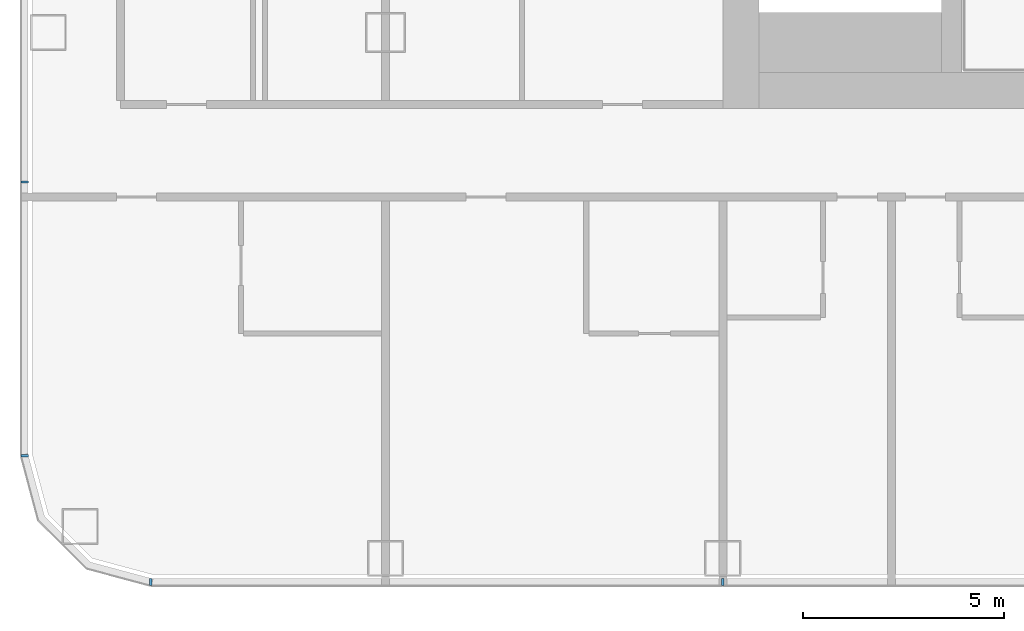
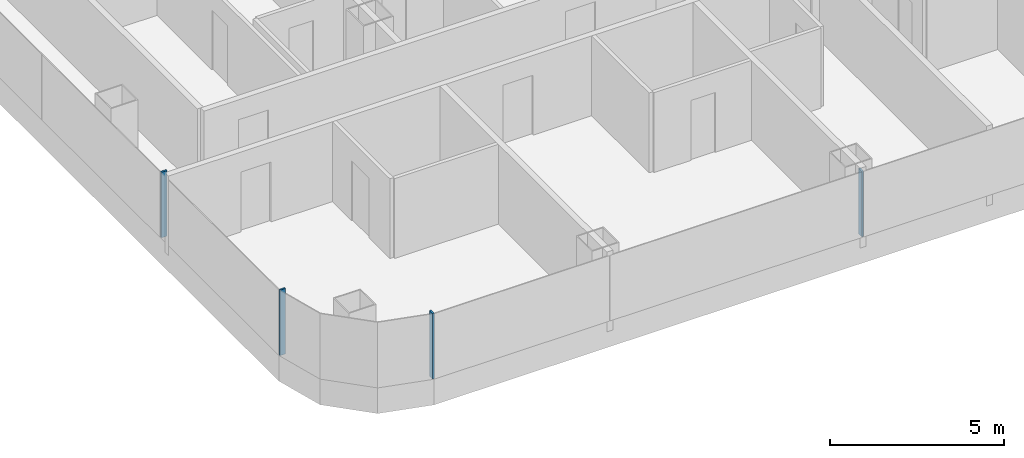
# One storey, part 2 of 29: 4 members, 2 elements without a shape of their own.
"""IFC4 building model written with IfcOpenShell, lengths in metres."""

from ifc_helpers import new_model, si_unit, direction, frame, origin, origin_2d, place, context, subcontext, project, spatial, rectangle, extrude, material, layer, layer_set, material_profile, profile_set, type_object, element, aggregate, save


model = new_model("IFC4")

# Units and contexts
model_context = context("Model", 3, precision=1e-05, world=origin(), true_north=direction((0.0, 1.0)))
body_context = subcontext(model_context, "Body", "Model", "MODEL_VIEW")
ifc_project = project(units=[si_unit("LENGTHUNIT", "METRE"), si_unit("AREAUNIT", "SQUARE_METRE"), si_unit("VOLUMEUNIT", "CUBIC_METRE"), si_unit("PLANEANGLEUNIT", "RADIAN"), si_unit("MASSUNIT", "GRAM", prefix="KILO")], contexts=[model_context])

# Site, building, storey
site_placement = place(None, origin())
site = spatial("IfcSite", under=ifc_project, at=site_placement, CompositionType="ELEMENT")
building_placement = place(site_placement, origin())
building = spatial("IfcBuilding", under=site, at=building_placement, Name="Hakoniwa Tower and Hamabe Station Hall", CompositionType="ELEMENT")
storey_placement = place(building_placement, frame((0.0, 0.0, 29.39990234375)))
storey = spatial("IfcBuildingStorey", under=building, at=storey_placement, Name="L07", CompositionType="ELEMENT", Elevation=29.39990234375)

# Curtain wall, members
ifc_material_1 = material(Name="Dark low-e laminated glass", Category="glass")
ifc_layer = layer(ifc_material_1, 0.199951171875)
ifc_layer_set = layer_set([ifc_layer], Name="CW-1 UNITISED GUEST")
curtain_wall_type = type_object("IfcCurtainWallType", Name="CW-1 UNITISED GUEST", PredefinedType="NOTDEFINED", material=ifc_layer_set)
curtain_wall_1_placement = place(storey_placement, origin())
curtain_wall_1 = element("IfcCurtainWall", 1, at=curtain_wall_1_placement, inside=storey, type_object=curtain_wall_type, Name="CW-1 curtain wall", PredefinedType="NOTDEFINED")
ifc_material_2 = material(Name="Aluminium 6063-T5 black anodised", Category="aluminium")
ifc_material_profile = material_profile(ifc_material_2, rectangle(XDim=0.06005859375, YDim=0.179931640625, at=origin_2d()), Name="CW-1 MULLION 60X180")
ifc_profile_set = profile_set([ifc_material_profile], Name="Aluminium 6063-T5 black anodised")
member_type = type_object("IfcMemberType", Name="CW-1 MULLION 60X180", PredefinedType="MULLION", material=ifc_profile_set)
member_1_placement = place(storey_placement, frame((-50.98193359375, -10.2236328125, 0.35009765625), z_axis=(0.0, 0.0, 1.0), x_axis=(0.0, -1.0, 0.0)))
member_1 = element("IfcMember", 2, at=member_1_placement, type_object=member_type, Name="CW-1 mullion", PredefinedType="MULLION", context=body_context, shape_type="SweptSolid", body=[
    extrude(rectangle(XDim=0.06005859375, YDim=0.179931640625, at=origin_2d()), origin(), (0.0, 0.0, 1.0), 2.300048828125),
])
member_2_placement = place(storey_placement, frame((-50.98193359375, -17.03955078125, 0.35009765625), z_axis=(0.0, 0.0, 1.0), x_axis=(0.0, -1.0, 0.0)))
member_2 = element("IfcMember", 3, at=member_2_placement, type_object=member_type, Name="CW-1 mullion", PredefinedType="MULLION", context=body_context, shape_type="SweptSolid", body=[
    extrude(rectangle(XDim=0.06005859375, YDim=0.179931640625, at=origin_2d()), origin(), (0.0, 0.0, 1.0), 2.300048828125),
])
aggregate(curtain_wall_1, [member_1, member_2])

curtain_wall_2_placement = place(storey_placement, origin())
curtain_wall_2 = element("IfcCurtainWall", 4, at=curtain_wall_2_placement, inside=storey, type_object=curtain_wall_type, Name="CW-1 curtain wall", PredefinedType="NOTDEFINED")
member_3_placement = place(storey_placement, frame((-47.839599609375, -20.181884765625, 0.35009765625), z_axis=(0.0, 0.0, 1.0), x_axis=(1.0, 0.0, 0.0)))
member_3 = element("IfcMember", 5, at=member_3_placement, type_object=member_type, Name="CW-1 mullion", PredefinedType="MULLION", context=body_context, shape_type="SweptSolid", body=[
    extrude(rectangle(XDim=0.06005859375, YDim=0.179931640625, at=origin_2d()), origin(), (0.0, 0.0, 1.0), 2.300048828125),
])
member_4_placement = place(storey_placement, frame((-33.60009765625, -20.181884765625, 0.35009765625), z_axis=(0.0, 0.0, 1.0), x_axis=(1.0, 0.0, 0.0)))
member_4 = element("IfcMember", 6, at=member_4_placement, type_object=member_type, Name="CW-1 mullion", PredefinedType="MULLION", context=body_context, shape_type="SweptSolid", body=[
    extrude(rectangle(XDim=0.06005859375, YDim=0.179931640625, at=origin_2d()), origin(), (0.0, 0.0, 1.0), 2.300048828125),
])
aggregate(curtain_wall_2, [member_3, member_4])

save(model, "model.ifc")
